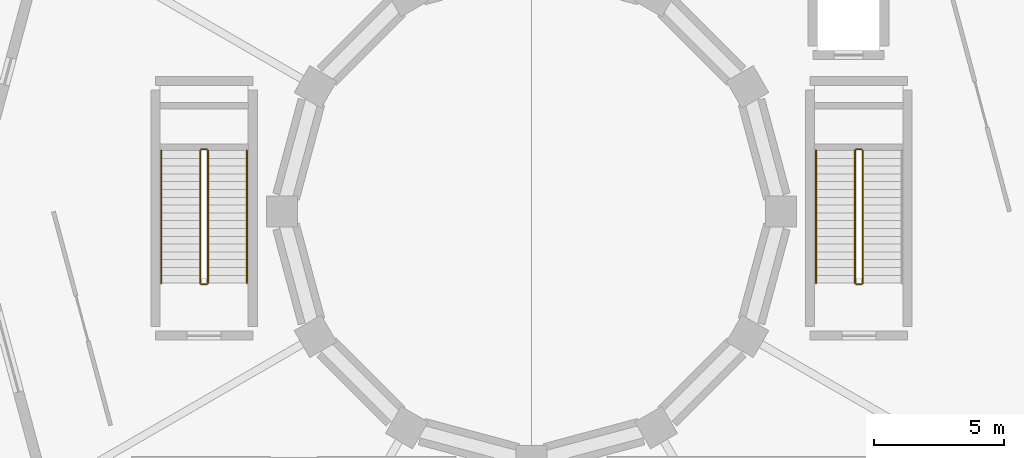
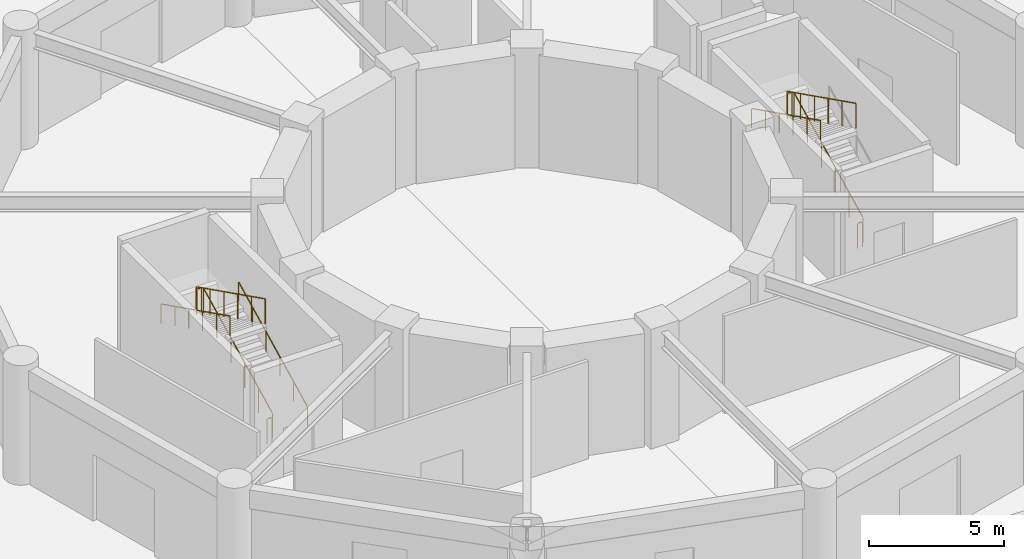
# One storey, part 130 of 140: 11 railings.
"""IFC4 building model written with IfcOpenShell, lengths in metres."""

from ifc_helpers import new_model, si_unit, direction, frame, origin, origin_2d, place, context, subcontext, project, spatial, circle, extrude, material, type_object, element, save


model = new_model("IFC4")

# Units and contexts
model_context = context("Model", 3, precision=1e-05, world=origin(), true_north=direction((0.0, 1.0)))
body_context = subcontext(model_context, "Body", "Model", "MODEL_VIEW")
ifc_project = project(units=[si_unit("LENGTHUNIT", "METRE"), si_unit("AREAUNIT", "SQUARE_METRE"), si_unit("VOLUMEUNIT", "CUBIC_METRE"), si_unit("PLANEANGLEUNIT", "RADIAN"), si_unit("MASSUNIT", "GRAM", prefix="KILO")], contexts=[model_context])

# Site, building, storey
site_placement = place(None, origin())
site = spatial("IfcSite", under=ifc_project, at=site_placement, CompositionType="ELEMENT")
building_placement = place(site_placement, origin())
building = spatial("IfcBuilding", under=site, at=building_placement, Name="Haizhuo Lancet Aquarium", CompositionType="ELEMENT")
storey_placement = place(building_placement, origin())
storey = spatial("IfcBuildingStorey", under=building, at=storey_placement, Name="L00", CompositionType="ELEMENT", Elevation=0.0)

# Railings
ifc_material = material(Name="Steel S355", Category="steel")
railing_type_1 = type_object("IfcRailingType", Name="RL-GRD-1150", PredefinedType="GUARDRAIL", material=ifc_material)
railing_1_placement = place(storey_placement, frame((-12.449951171875, -2.75, 0.14990234375)))
element("IfcRailing", 1, at=railing_1_placement, inside=storey, type_object=railing_type_1, Name="L00 ST-01 stair guard 1", PredefinedType="GUARDRAIL", context=body_context, shape_type="SweptSolid", body=[
    extrude(circle(Radius=0.02392578125, at=origin_2d()), frame((0.0, 0.02685546875, 1.13916015625), z_axis=(0.0, 0.894427191, 0.4472135955), x_axis=(-1.0, 0.0, 0.0)), (0.0, 0.0, 1.0), 5.64208984375),
    extrude(circle(Radius=0.02099609375, at=origin_2d()), origin(), (0.0, 0.0, 1.0), 1.097900390625),
    extrude(circle(Radius=0.02099609375, at=origin_2d()), frame((0.0, 1.02001953125, 0.510009765625)), (0.0, 0.0, 1.0), 1.097900390625),
    extrude(circle(Radius=0.02099609375, at=origin_2d()), frame((0.0, 2.0400390625, 1.02001953125)), (0.0, 0.0, 1.0), 1.097900390625),
    extrude(circle(Radius=0.02099609375, at=origin_2d()), frame((0.0, 3.06005859375, 1.530029296875)), (0.0, 0.0, 1.0), 1.097900390625),
    extrude(circle(Radius=0.02099609375, at=origin_2d()), frame((0.0, 4.080078125, 2.0400390625)), (0.0, 0.0, 1.0), 1.097900390625),
    extrude(circle(Radius=0.02099609375, at=origin_2d()), frame((0.0, 5.10009765625, 2.550048828125)), (0.0, 0.0, 1.0), 1.097900390625),
])
railing_2_placement = place(storey_placement, frame((-12.5, 2.39990234375, 2.699951171875)))
element("IfcRailing", 2, at=railing_2_placement, inside=storey, type_object=railing_type_1, Name="L00 ST-01 stair guard 2", PredefinedType="GUARDRAIL", context=body_context, shape_type="SweptSolid", body=[
    extrude(circle(Radius=0.02392578125, at=origin_2d()), frame((-0.030029296875, 0.0, 1.1259765625), z_axis=(-1.0, 0.0, 0.0), x_axis=(0.0, -1.0, 0.0)), (0.0, 0.0, 1.0), 0.139892578125),
    extrude(circle(Radius=0.02099609375, at=origin_2d()), origin(), (0.0, 0.0, 1.0), 1.097900390625),
    extrude(circle(Radius=0.02099609375, at=origin_2d()), frame((-0.199951171875, 0.0, 0.0)), (0.0, 0.0, 1.0), 1.097900390625),
])
railing_3_placement = place(storey_placement, frame((-12.75, 2.35009765625, 2.85009765625)))
element("IfcRailing", 3, at=railing_3_placement, inside=storey, type_object=railing_type_1, Name="L00 ST-01 stair guard 3", PredefinedType="GUARDRAIL", context=body_context, shape_type="SweptSolid", body=[
    extrude(circle(Radius=0.02392578125, at=origin_2d()), frame((0.0, -0.02685546875, 1.13916015625), z_axis=(0.0, -0.89444431709, 0.44717934168), x_axis=(1.0, 0.0, 0.0)), (0.0, 0.0, 1.0), 5.64208984375),
    extrude(circle(Radius=0.02099609375, at=origin_2d()), origin(), (0.0, 0.0, 1.0), 1.097900390625),
    extrude(circle(Radius=0.02099609375, at=origin_2d()), frame((0.0, -1.02001953125, 0.510009765625)), (0.0, 0.0, 1.0), 1.097900390625),
    extrude(circle(Radius=0.02099609375, at=origin_2d()), frame((0.0, -2.0400390625, 1.02001953125)), (0.0, 0.0, 1.0), 1.097900390625),
    extrude(circle(Radius=0.02099609375, at=origin_2d()), frame((0.0, -3.06005859375, 1.52978515625)), (0.0, 0.0, 1.0), 1.097900390625),
    extrude(circle(Radius=0.02099609375, at=origin_2d()), frame((0.0, -4.080078125, 2.039794921875)), (0.0, 0.0, 1.0), 1.097900390625),
    extrude(circle(Radius=0.02099609375, at=origin_2d()), frame((0.0, -5.10009765625, 2.5498046875)), (0.0, 0.0, 1.0), 1.097900390625),
])
railing_4_placement = place(storey_placement, frame((-12.5, -2.800048828125, 0.0)))
element("IfcRailing", 4, at=railing_4_placement, inside=storey, type_object=railing_type_1, Name="L00 ST-01 stair guard 4", PredefinedType="GUARDRAIL", context=body_context, shape_type="SweptSolid", body=[
    extrude(circle(Radius=0.02392578125, at=origin_2d()), frame((-0.030029296875, 0.0, 1.1259765625), z_axis=(-1.0, 0.0, 0.0), x_axis=(0.0, -1.0, 0.0)), (0.0, 0.0, 1.0), 0.139892578125),
    extrude(circle(Radius=0.02099609375, at=origin_2d()), origin(), (0.0, 0.0, 1.0), 1.097900390625),
    extrude(circle(Radius=0.02099609375, at=origin_2d()), frame((-0.199951171875, 0.0, 0.0)), (0.0, 0.0, 1.0), 1.097900390625),
])
railing_5_placement = place(storey_placement, frame((12.75, -2.75, 0.14990234375)))
element("IfcRailing", 5, at=railing_5_placement, inside=storey, type_object=railing_type_1, Name="L00 ST-02 stair guard 1", PredefinedType="GUARDRAIL", context=body_context, shape_type="SweptSolid", body=[
    extrude(circle(Radius=0.02392578125, at=origin_2d()), frame((0.0, 0.02685546875, 1.13916015625), z_axis=(0.0, 0.894427191, 0.4472135955), x_axis=(-1.0, 0.0, 0.0)), (0.0, 0.0, 1.0), 5.64208984375),
    extrude(circle(Radius=0.02099609375, at=origin_2d()), origin(), (0.0, 0.0, 1.0), 1.097900390625),
    extrude(circle(Radius=0.02099609375, at=origin_2d()), frame((0.0, 1.02001953125, 0.510009765625)), (0.0, 0.0, 1.0), 1.097900390625),
    extrude(circle(Radius=0.02099609375, at=origin_2d()), frame((0.0, 2.0400390625, 1.02001953125)), (0.0, 0.0, 1.0), 1.097900390625),
    extrude(circle(Radius=0.02099609375, at=origin_2d()), frame((0.0, 3.06005859375, 1.530029296875)), (0.0, 0.0, 1.0), 1.097900390625),
    extrude(circle(Radius=0.02099609375, at=origin_2d()), frame((0.0, 4.080078125, 2.0400390625)), (0.0, 0.0, 1.0), 1.097900390625),
    extrude(circle(Radius=0.02099609375, at=origin_2d()), frame((0.0, 5.10009765625, 2.550048828125)), (0.0, 0.0, 1.0), 1.097900390625),
])
railing_6_placement = place(storey_placement, frame((12.699951171875, 2.39990234375, 2.699951171875)))
element("IfcRailing", 6, at=railing_6_placement, inside=storey, type_object=railing_type_1, Name="L00 ST-02 stair guard 2", PredefinedType="GUARDRAIL", context=body_context, shape_type="SweptSolid", body=[
    extrude(circle(Radius=0.02392578125, at=origin_2d()), frame((-0.030029296875, 0.0, 1.1259765625), z_axis=(-1.0, 0.0, 0.0), x_axis=(0.0, -1.0, 0.0)), (0.0, 0.0, 1.0), 0.139892578125),
    extrude(circle(Radius=0.02099609375, at=origin_2d()), origin(), (0.0, 0.0, 1.0), 1.097900390625),
    extrude(circle(Radius=0.02099609375, at=origin_2d()), frame((-0.199951171875, 0.0, 0.0)), (0.0, 0.0, 1.0), 1.097900390625),
])
railing_7_placement = place(storey_placement, frame((12.449951171875, 2.35009765625, 2.85009765625)))
element("IfcRailing", 7, at=railing_7_placement, inside=storey, type_object=railing_type_1, Name="L00 ST-02 stair guard 3", PredefinedType="GUARDRAIL", context=body_context, shape_type="SweptSolid", body=[
    extrude(circle(Radius=0.02392578125, at=origin_2d()), frame((0.0, -0.02685546875, 1.13916015625), z_axis=(0.0, -0.89444431709, 0.44717934168), x_axis=(1.0, 0.0, 0.0)), (0.0, 0.0, 1.0), 5.64208984375),
    extrude(circle(Radius=0.02099609375, at=origin_2d()), origin(), (0.0, 0.0, 1.0), 1.097900390625),
    extrude(circle(Radius=0.02099609375, at=origin_2d()), frame((0.0, -1.02001953125, 0.510009765625)), (0.0, 0.0, 1.0), 1.097900390625),
    extrude(circle(Radius=0.02099609375, at=origin_2d()), frame((0.0, -2.0400390625, 1.02001953125)), (0.0, 0.0, 1.0), 1.097900390625),
    extrude(circle(Radius=0.02099609375, at=origin_2d()), frame((0.0, -3.06005859375, 1.52978515625)), (0.0, 0.0, 1.0), 1.097900390625),
    extrude(circle(Radius=0.02099609375, at=origin_2d()), frame((0.0, -4.080078125, 2.039794921875)), (0.0, 0.0, 1.0), 1.097900390625),
    extrude(circle(Radius=0.02099609375, at=origin_2d()), frame((0.0, -5.10009765625, 2.5498046875)), (0.0, 0.0, 1.0), 1.097900390625),
])
railing_8_placement = place(storey_placement, frame((12.699951171875, -2.800048828125, 0.0)))
element("IfcRailing", 8, at=railing_8_placement, inside=storey, type_object=railing_type_1, Name="L00 ST-02 stair guard 4", PredefinedType="GUARDRAIL", context=body_context, shape_type="SweptSolid", body=[
    extrude(circle(Radius=0.02392578125, at=origin_2d()), frame((-0.030029296875, 0.0, 1.1259765625), z_axis=(-1.0, 0.0, 0.0), x_axis=(0.0, -1.0, 0.0)), (0.0, 0.0, 1.0), 0.139892578125),
    extrude(circle(Radius=0.02099609375, at=origin_2d()), origin(), (0.0, 0.0, 1.0), 1.097900390625),
    extrude(circle(Radius=0.02099609375, at=origin_2d()), frame((-0.199951171875, 0.0, 0.0)), (0.0, 0.0, 1.0), 1.097900390625),
])
railing_type_2 = type_object("IfcRailingType", Name="RL-HDR-900", PredefinedType="HANDRAIL", material=ifc_material)
railing_9_placement = place(storey_placement, frame((-10.949951171875, -2.75, 0.14990234375)))
element("IfcRailing", 9, at=railing_9_placement, inside=storey, type_object=railing_type_2, Name="L00 ST-01 pitch handrail 1", PredefinedType="HANDRAIL", context=body_context, shape_type="SweptSolid", body=[
    extrude(circle(Radius=0.02392578125, at=origin_2d()), frame((0.0, 0.02685546875, 0.88916015625), z_axis=(0.0, 0.894427191, 0.4472135955), x_axis=(-1.0, 0.0, 0.0)), (0.0, 0.0, 1.0), 5.64208984375),
    extrude(circle(Radius=0.02099609375, at=origin_2d()), origin(), (0.0, 0.0, 1.0), 0.847900390625),
    extrude(circle(Radius=0.02099609375, at=origin_2d()), frame((0.0, 1.02001953125, 0.510009765625)), (0.0, 0.0, 1.0), 0.847900390625),
    extrude(circle(Radius=0.02099609375, at=origin_2d()), frame((0.0, 2.0400390625, 1.02001953125)), (0.0, 0.0, 1.0), 0.847900390625),
    extrude(circle(Radius=0.02099609375, at=origin_2d()), frame((0.0, 3.06005859375, 1.530029296875)), (0.0, 0.0, 1.0), 0.847900390625),
    extrude(circle(Radius=0.02099609375, at=origin_2d()), frame((0.0, 4.080078125, 2.0400390625)), (0.0, 0.0, 1.0), 0.847900390625),
    extrude(circle(Radius=0.02099609375, at=origin_2d()), frame((0.0, 5.10009765625, 2.550048828125)), (0.0, 0.0, 1.0), 0.847900390625),
])
for number, where, name in (
    (10, (-14.25, 2.35009765625, 2.85009765625), "L00 ST-01 pitch handrail 2"),
    (11, (10.949951171875, 2.35009765625, 2.85009765625), "L00 ST-02 pitch handrail 2"),
):
    element("IfcRailing", number, at=place(storey_placement, frame(where)), inside=storey, type_object=railing_type_2, Name=name, PredefinedType="HANDRAIL", context=body_context, shape_type="SweptSolid", body=[
        extrude(circle(Radius=0.02392578125, at=origin_2d()), frame((0.0, -0.02685546875, 0.88916015625), z_axis=(0.0, -0.89444431709, 0.44717934168), x_axis=(1.0, 0.0, 0.0)), (0.0, 0.0, 1.0), 5.64208984375),
        extrude(circle(Radius=0.02099609375, at=origin_2d()), origin(), (0.0, 0.0, 1.0), 0.847900390625),
        extrude(circle(Radius=0.02099609375, at=origin_2d()), frame((0.0, -1.02001953125, 0.510009765625)), (0.0, 0.0, 1.0), 0.847900390625),
        extrude(circle(Radius=0.02099609375, at=origin_2d()), frame((0.0, -2.0400390625, 1.02001953125)), (0.0, 0.0, 1.0), 0.847900390625),
        extrude(circle(Radius=0.02099609375, at=origin_2d()), frame((0.0, -3.06005859375, 1.52978515625)), (0.0, 0.0, 1.0), 0.847900390625),
        extrude(circle(Radius=0.02099609375, at=origin_2d()), frame((0.0, -4.080078125, 2.039794921875)), (0.0, 0.0, 1.0), 0.847900390625),
        extrude(circle(Radius=0.02099609375, at=origin_2d()), frame((0.0, -5.10009765625, 2.5498046875)), (0.0, 0.0, 1.0), 0.847900390625),
    ])

save(model, "model.ifc")
